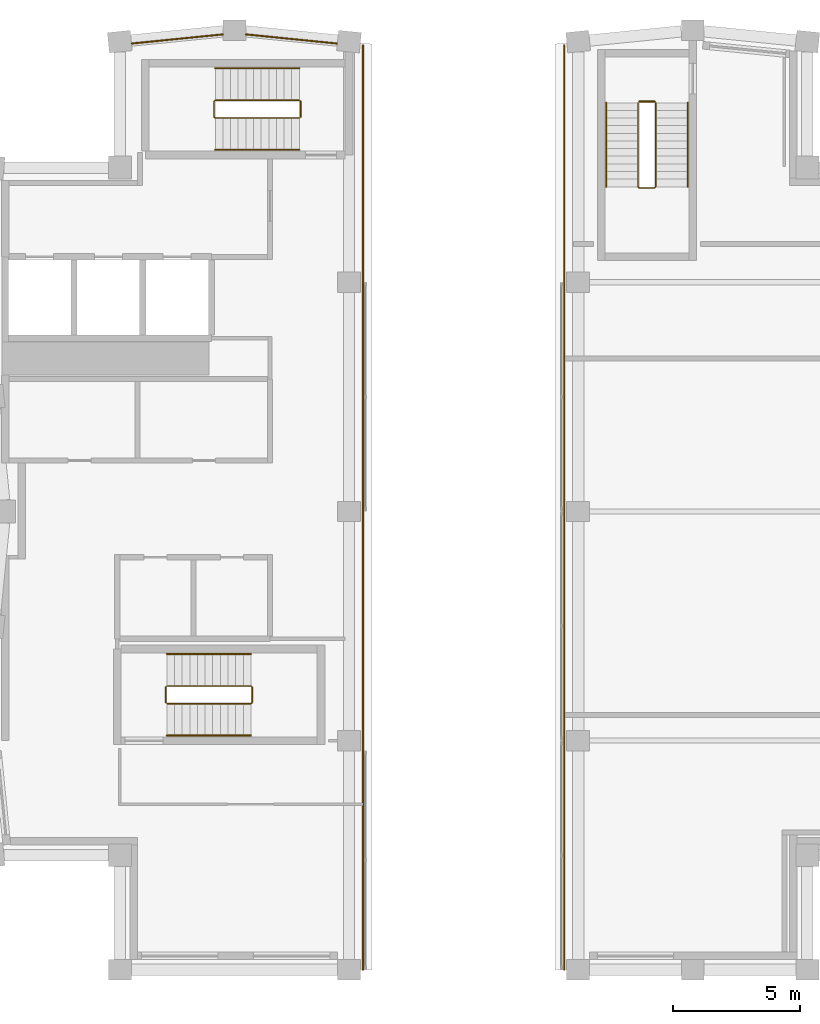
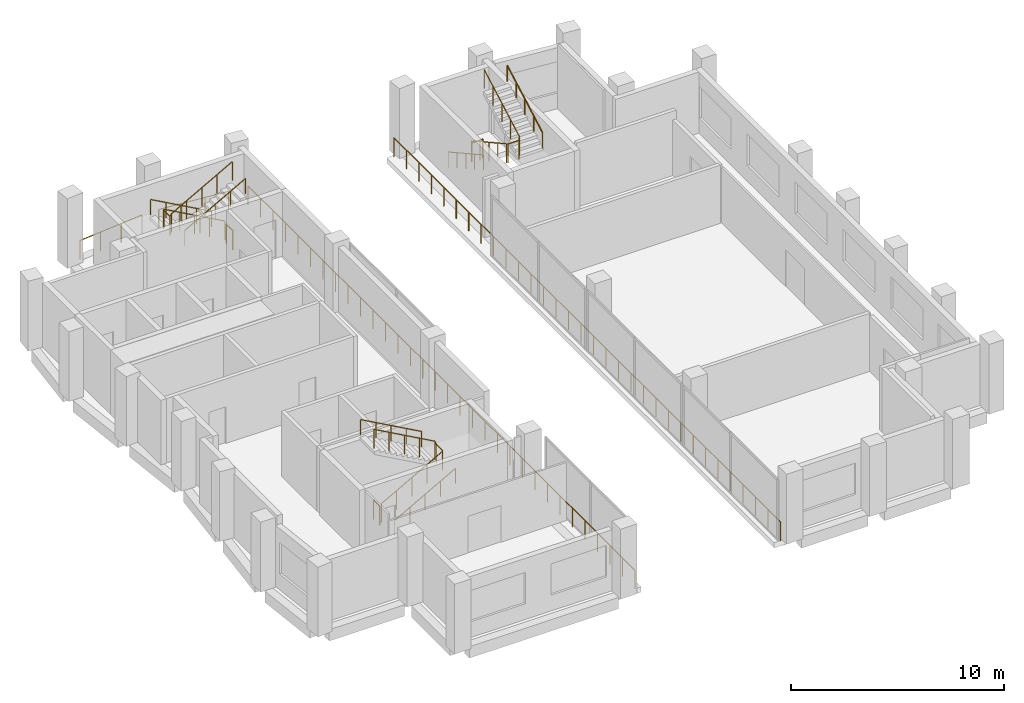
# One storey, part 9 of 9: 16 railings.
"""IFC4 building model written with IfcOpenShell, lengths in metres."""

from ifc_helpers import new_model, si_unit, direction, frame, origin, origin_2d, place, context, subcontext, project, spatial, circle, extrude, material, type_object, element, save


model = new_model("IFC4")

# Units and contexts
model_context = context("Model", 3, precision=1e-05, world=origin(), true_north=direction((0.0, 1.0)))
body_context = subcontext(model_context, "Body", "Model", "MODEL_VIEW")
ifc_project = project(units=[si_unit("LENGTHUNIT", "METRE"), si_unit("AREAUNIT", "SQUARE_METRE"), si_unit("VOLUMEUNIT", "CUBIC_METRE"), si_unit("PLANEANGLEUNIT", "RADIAN"), si_unit("MASSUNIT", "GRAM", prefix="KILO")], contexts=[model_context])

# Site, building, storey
site_placement = place(None, origin())
site = spatial("IfcSite", under=ifc_project, at=site_placement, CompositionType="ELEMENT")
building_placement = place(site_placement, origin())
building = spatial("IfcBuilding", under=site, at=building_placement, Name="Brondeck Convention Tower", CompositionType="ELEMENT")
storey_placement = place(building_placement, frame((0.0, 0.0, 286.800048828125)))
storey = spatial("IfcBuildingStorey", under=building, at=storey_placement, Name="L71", CompositionType="ELEMENT", Elevation=286.800048828125)

# Railings
ifc_material_1 = material(Name="Steel S355, bronze painted", Category="steel")
railing_type_1 = type_object("IfcRailingType", Name="Guard, bronze steel rail and posts", PredefinedType="GUARDRAIL", material=ifc_material_1)
railing_1_placement = place(storey_placement, frame((14.050048828125, 27.0, 0.0)))
element("IfcRailing", 1, at=railing_1_placement, inside=storey, type_object=railing_type_1, Name="ENV-SLOT-144-L71-RL1", PredefinedType="GUARDRAIL", context=body_context, shape_type="SweptSolid", body=[
    extrude(circle(Radius=0.02490234375, at=origin_2d()), frame((0.0, 0.0, 1.0751953125), z_axis=(0.0, 1.0, 0.0), x_axis=(-1.0, 0.0, 0.0)), (0.0, 0.0, 1.0), 36.294921875),
    extrude(circle(Radius=0.02490234375, at=origin_2d()), origin(), (0.0, 0.0, 1.0), 1.050048828125),
    extrude(circle(Radius=0.02490234375, at=origin_2d()), frame((0.0, 1.1708984375, 0.0)), (0.0, 0.0, 1.0), 1.050048828125),
    extrude(circle(Radius=0.02490234375, at=origin_2d()), frame((0.0, 2.341552734375, 0.0)), (0.0, 0.0, 1.0), 1.050048828125),
    extrude(circle(Radius=0.02490234375, at=origin_2d()), frame((0.0, 3.512451171875, 0.0)), (0.0, 0.0, 1.0), 1.050048828125),
    extrude(circle(Radius=0.02490234375, at=origin_2d()), frame((0.0, 4.68310546875, 0.0)), (0.0, 0.0, 1.0), 1.050048828125),
    extrude(circle(Radius=0.02490234375, at=origin_2d()), frame((0.0, 5.85400390625, 0.0)), (0.0, 0.0, 1.0), 1.050048828125),
    extrude(circle(Radius=0.02490234375, at=origin_2d()), frame((0.0, 7.02490234375, 0.0)), (0.0, 0.0, 1.0), 1.050048828125),
    extrude(circle(Radius=0.02490234375, at=origin_2d()), frame((0.0, 8.195556640625, 0.0)), (0.0, 0.0, 1.0), 1.050048828125),
    extrude(circle(Radius=0.02490234375, at=origin_2d()), frame((0.0, 9.366455078125, 0.0)), (0.0, 0.0, 1.0), 1.050048828125),
    extrude(circle(Radius=0.02490234375, at=origin_2d()), frame((0.0, 10.537353515625, 0.0)), (0.0, 0.0, 1.0), 1.050048828125),
    extrude(circle(Radius=0.02490234375, at=origin_2d()), frame((0.0, 11.7080078125, 0.0)), (0.0, 0.0, 1.0), 1.050048828125),
    extrude(circle(Radius=0.02490234375, at=origin_2d()), frame((0.0, 12.87890625, 0.0)), (0.0, 0.0, 1.0), 1.050048828125),
    extrude(circle(Radius=0.02490234375, at=origin_2d()), frame((0.0, 14.049560546875, 0.0)), (0.0, 0.0, 1.0), 1.050048828125),
    extrude(circle(Radius=0.02490234375, at=origin_2d()), frame((0.0, 15.220458984375, 0.0)), (0.0, 0.0, 1.0), 1.050048828125),
    extrude(circle(Radius=0.02490234375, at=origin_2d()), frame((0.0, 16.391357421875, 0.0)), (0.0, 0.0, 1.0), 1.050048828125),
    extrude(circle(Radius=0.02490234375, at=origin_2d()), frame((0.0, 17.56201171875, 0.0)), (0.0, 0.0, 1.0), 1.050048828125),
    extrude(circle(Radius=0.02490234375, at=origin_2d()), frame((0.0, 18.73291015625, 0.0)), (0.0, 0.0, 1.0), 1.050048828125),
    extrude(circle(Radius=0.02490234375, at=origin_2d()), frame((0.0, 19.903564453125, 0.0)), (0.0, 0.0, 1.0), 1.050048828125),
    extrude(circle(Radius=0.02490234375, at=origin_2d()), frame((0.0, 21.074462890625, 0.0)), (0.0, 0.0, 1.0), 1.050048828125),
    extrude(circle(Radius=0.02490234375, at=origin_2d()), frame((0.0, 22.245361328125, 0.0)), (0.0, 0.0, 1.0), 1.050048828125),
    extrude(circle(Radius=0.02490234375, at=origin_2d()), frame((0.0, 23.416015625, 0.0)), (0.0, 0.0, 1.0), 1.050048828125),
    extrude(circle(Radius=0.02490234375, at=origin_2d()), frame((0.0, 24.5869140625, 0.0)), (0.0, 0.0, 1.0), 1.050048828125),
    extrude(circle(Radius=0.02490234375, at=origin_2d()), frame((0.0, 25.757568359375, 0.0)), (0.0, 0.0, 1.0), 1.050048828125),
    extrude(circle(Radius=0.02490234375, at=origin_2d()), frame((0.0, 26.928466796875, 0.0)), (0.0, 0.0, 1.0), 1.050048828125),
    extrude(circle(Radius=0.02490234375, at=origin_2d()), frame((0.0, 28.099365234375, 0.0)), (0.0, 0.0, 1.0), 1.050048828125),
    extrude(circle(Radius=0.02490234375, at=origin_2d()), frame((0.0, 29.27001953125, 0.0)), (0.0, 0.0, 1.0), 1.050048828125),
    extrude(circle(Radius=0.02490234375, at=origin_2d()), frame((0.0, 30.44091796875, 0.0)), (0.0, 0.0, 1.0), 1.050048828125),
    extrude(circle(Radius=0.02490234375, at=origin_2d()), frame((0.0, 31.61181640625, 0.0)), (0.0, 0.0, 1.0), 1.050048828125),
    extrude(circle(Radius=0.02490234375, at=origin_2d()), frame((0.0, 32.782470703125, 0.0)), (0.0, 0.0, 1.0), 1.050048828125),
    extrude(circle(Radius=0.02490234375, at=origin_2d()), frame((0.0, 33.953369140625, 0.0)), (0.0, 0.0, 1.0), 1.050048828125),
    extrude(circle(Radius=0.02490234375, at=origin_2d()), frame((0.0, 35.1240234375, 0.0)), (0.0, 0.0, 1.0), 1.050048828125),
    extrude(circle(Radius=0.02490234375, at=origin_2d()), frame((0.0, 36.294921875, 0.0)), (0.0, 0.0, 1.0), 1.050048828125),
])
railing_2_placement = place(storey_placement, frame((21.949951171875, 27.0, 0.0)))
element("IfcRailing", 2, at=railing_2_placement, inside=storey, type_object=railing_type_1, Name="ENV-SLOT-216-L71-RL1", PredefinedType="GUARDRAIL", context=body_context, shape_type="SweptSolid", body=[
    extrude(circle(Radius=0.02490234375, at=origin_2d()), frame((0.0, 0.0, 1.0751953125), z_axis=(0.0, 1.0, 0.0), x_axis=(-1.0, 0.0, 0.0)), (0.0, 0.0, 1.0), 36.294921875),
    extrude(circle(Radius=0.02490234375, at=origin_2d()), origin(), (0.0, 0.0, 1.0), 1.050048828125),
    extrude(circle(Radius=0.02490234375, at=origin_2d()), frame((0.0, 1.1708984375, 0.0)), (0.0, 0.0, 1.0), 1.050048828125),
    extrude(circle(Radius=0.02490234375, at=origin_2d()), frame((0.0, 2.341552734375, 0.0)), (0.0, 0.0, 1.0), 1.050048828125),
    extrude(circle(Radius=0.02490234375, at=origin_2d()), frame((0.0, 3.512451171875, 0.0)), (0.0, 0.0, 1.0), 1.050048828125),
    extrude(circle(Radius=0.02490234375, at=origin_2d()), frame((0.0, 4.68310546875, 0.0)), (0.0, 0.0, 1.0), 1.050048828125),
    extrude(circle(Radius=0.02490234375, at=origin_2d()), frame((0.0, 5.85400390625, 0.0)), (0.0, 0.0, 1.0), 1.050048828125),
    extrude(circle(Radius=0.02490234375, at=origin_2d()), frame((0.0, 7.02490234375, 0.0)), (0.0, 0.0, 1.0), 1.050048828125),
    extrude(circle(Radius=0.02490234375, at=origin_2d()), frame((0.0, 8.195556640625, 0.0)), (0.0, 0.0, 1.0), 1.050048828125),
    extrude(circle(Radius=0.02490234375, at=origin_2d()), frame((0.0, 9.366455078125, 0.0)), (0.0, 0.0, 1.0), 1.050048828125),
    extrude(circle(Radius=0.02490234375, at=origin_2d()), frame((0.0, 10.537353515625, 0.0)), (0.0, 0.0, 1.0), 1.050048828125),
    extrude(circle(Radius=0.02490234375, at=origin_2d()), frame((0.0, 11.7080078125, 0.0)), (0.0, 0.0, 1.0), 1.050048828125),
    extrude(circle(Radius=0.02490234375, at=origin_2d()), frame((0.0, 12.87890625, 0.0)), (0.0, 0.0, 1.0), 1.050048828125),
    extrude(circle(Radius=0.02490234375, at=origin_2d()), frame((0.0, 14.049560546875, 0.0)), (0.0, 0.0, 1.0), 1.050048828125),
    extrude(circle(Radius=0.02490234375, at=origin_2d()), frame((0.0, 15.220458984375, 0.0)), (0.0, 0.0, 1.0), 1.050048828125),
    extrude(circle(Radius=0.02490234375, at=origin_2d()), frame((0.0, 16.391357421875, 0.0)), (0.0, 0.0, 1.0), 1.050048828125),
    extrude(circle(Radius=0.02490234375, at=origin_2d()), frame((0.0, 17.56201171875, 0.0)), (0.0, 0.0, 1.0), 1.050048828125),
    extrude(circle(Radius=0.02490234375, at=origin_2d()), frame((0.0, 18.73291015625, 0.0)), (0.0, 0.0, 1.0), 1.050048828125),
    extrude(circle(Radius=0.02490234375, at=origin_2d()), frame((0.0, 19.903564453125, 0.0)), (0.0, 0.0, 1.0), 1.050048828125),
    extrude(circle(Radius=0.02490234375, at=origin_2d()), frame((0.0, 21.074462890625, 0.0)), (0.0, 0.0, 1.0), 1.050048828125),
    extrude(circle(Radius=0.02490234375, at=origin_2d()), frame((0.0, 22.245361328125, 0.0)), (0.0, 0.0, 1.0), 1.050048828125),
    extrude(circle(Radius=0.02490234375, at=origin_2d()), frame((0.0, 23.416015625, 0.0)), (0.0, 0.0, 1.0), 1.050048828125),
    extrude(circle(Radius=0.02490234375, at=origin_2d()), frame((0.0, 24.5869140625, 0.0)), (0.0, 0.0, 1.0), 1.050048828125),
    extrude(circle(Radius=0.02490234375, at=origin_2d()), frame((0.0, 25.757568359375, 0.0)), (0.0, 0.0, 1.0), 1.050048828125),
    extrude(circle(Radius=0.02490234375, at=origin_2d()), frame((0.0, 26.928466796875, 0.0)), (0.0, 0.0, 1.0), 1.050048828125),
    extrude(circle(Radius=0.02490234375, at=origin_2d()), frame((0.0, 28.099365234375, 0.0)), (0.0, 0.0, 1.0), 1.050048828125),
    extrude(circle(Radius=0.02490234375, at=origin_2d()), frame((0.0, 29.27001953125, 0.0)), (0.0, 0.0, 1.0), 1.050048828125),
    extrude(circle(Radius=0.02490234375, at=origin_2d()), frame((0.0, 30.44091796875, 0.0)), (0.0, 0.0, 1.0), 1.050048828125),
    extrude(circle(Radius=0.02490234375, at=origin_2d()), frame((0.0, 31.61181640625, 0.0)), (0.0, 0.0, 1.0), 1.050048828125),
    extrude(circle(Radius=0.02490234375, at=origin_2d()), frame((0.0, 32.782470703125, 0.0)), (0.0, 0.0, 1.0), 1.050048828125),
    extrude(circle(Radius=0.02490234375, at=origin_2d()), frame((0.0, 33.953369140625, 0.0)), (0.0, 0.0, 1.0), 1.050048828125),
    extrude(circle(Radius=0.02490234375, at=origin_2d()), frame((0.0, 35.1240234375, 0.0)), (0.0, 0.0, 1.0), 1.050048828125),
    extrude(circle(Radius=0.02490234375, at=origin_2d()), frame((0.0, 36.294921875, 0.0)), (0.0, 0.0, 1.0), 1.050048828125),
])
railing_3_placement = place(storey_placement, frame((4.9794921875, 63.37744140625, 0.0)))
element("IfcRailing", 3, at=railing_3_placement, inside=storey, type_object=railing_type_1, Name="ENV-RL-L71-REAR1", PredefinedType="GUARDRAIL", context=body_context, shape_type="SweptSolid", body=[
    extrude(circle(Radius=0.02490234375, at=origin_2d()), frame((0.0, 0.0, 1.0751953125), z_axis=(0.995037864926, 0.099496971632, 0.0), x_axis=(-0.099496971632, 0.995037864926, 0.0)), (0.0, 0.0, 1.0), 3.58251953125),
    extrude(circle(Radius=0.02490234375, at=origin_2d()), origin(), (0.0, 0.0, 1.0), 1.050048828125),
    extrude(circle(Radius=0.02490234375, at=origin_2d()), frame((1.188232421875, 0.118896484375, 0.0)), (0.0, 0.0, 1.0), 1.050048828125),
    extrude(circle(Radius=0.02490234375, at=origin_2d()), frame((2.37646484375, 0.237548828125, 0.0)), (0.0, 0.0, 1.0), 1.050048828125),
    extrude(circle(Radius=0.02490234375, at=origin_2d()), frame((3.564697265625, 0.3564453125, 0.0)), (0.0, 0.0, 1.0), 1.050048828125),
])
railing_4_placement = place(storey_placement, frame((9.455810546875, 63.73388671875, 0.0)))
element("IfcRailing", 4, at=railing_4_placement, inside=storey, type_object=railing_type_1, Name="ENV-RL-L71-REAR2", PredefinedType="GUARDRAIL", context=body_context, shape_type="SweptSolid", body=[
    extrude(circle(Radius=0.02490234375, at=origin_2d()), frame((0.0, 0.0, 1.0751953125), z_axis=(0.995037864926, -0.099496971632, 0.0), x_axis=(0.099496971632, 0.995037864926, 0.0)), (0.0, 0.0, 1.0), 3.58251953125),
    extrude(circle(Radius=0.02490234375, at=origin_2d()), origin(), (0.0, 0.0, 1.0), 1.050048828125),
    extrude(circle(Radius=0.02490234375, at=origin_2d()), frame((1.188232421875, -0.118896484375, 0.0)), (0.0, 0.0, 1.0), 1.050048828125),
    extrude(circle(Radius=0.02490234375, at=origin_2d()), frame((2.37646484375, -0.237548828125, 0.0)), (0.0, 0.0, 1.0), 1.050048828125),
    extrude(circle(Radius=0.02490234375, at=origin_2d()), frame((3.564697265625, -0.3564453125, 0.0)), (0.0, 0.0, 1.0), 1.050048828125),
])
ifc_material_2 = material(Name="Steel S355", Category="steel")
railing_type_2 = type_object("IfcRailingType", Name="Stair guard 1100", PredefinedType="GUARDRAIL", material=ifc_material_2)
railing_5_placement = place(storey_placement, frame((6.35009765625, 37.449951171875, 0.16650390625)))
element("IfcRailing", 5, at=railing_5_placement, inside=storey, type_object=railing_type_2, Name="L71 ST-1 stair guard 1", PredefinedType="GUARDRAIL", context=body_context, shape_type="SweptSolid", body=[
    extrude(circle(Radius=0.02392578125, at=origin_2d()), frame((0.0, 0.0, 1.076171875), z_axis=(0.874126768038, 0.0, 0.485697841667), x_axis=(0.0, 1.0, 0.0)), (0.0, 0.0, 1.0), 3.77490234375),
    extrude(circle(Radius=0.02392578125, at=origin_2d()), frame((3.2998046875, 0.0, 2.90966796875), z_axis=(0.707106781187, 0.707106781187, 0.0), x_axis=(-0.707106781187, 0.707106781187, 0.0)), (0.0, 0.0, 1.0), 0.07080078125),
    extrude(circle(Radius=0.02392578125, at=origin_2d()), frame((3.349853515625, 0.050048828125, 2.90966796875), z_axis=(0.0, 1.0, 0.0), x_axis=(-1.0, 0.0, 0.0)), (0.0, 0.0, 1.0), 0.60009765625),
    extrude(circle(Radius=0.02392578125, at=origin_2d()), frame((3.349853515625, 0.650146484375, 2.90966796875), z_axis=(-0.276732813696, 0.275382897532, 0.920642824102), x_axis=(-0.705375805398, -0.708833529934, 0.0)), (0.0, 0.0, 1.0), 0.180908203125),
    extrude(circle(Radius=0.02392578125, at=origin_2d()), frame((3.2998046875, 0.699951171875, 3.076171875), z_axis=(-0.874126768038, 0.0, 0.485697841667), x_axis=(0.0, -1.0, 0.0)), (0.0, 0.0, 1.0), 3.77490234375),
    extrude(circle(Radius=0.02099609375, at=origin_2d()), origin(), (0.0, 0.0, 1.0), 1.052001953125),
    extrude(circle(Radius=0.02099609375, at=origin_2d()), frame((0.824951171875, 0.0, 0.45849609375)), (0.0, 0.0, 1.0), 1.052001953125),
    extrude(circle(Radius=0.02099609375, at=origin_2d()), frame((1.64990234375, 0.0, 0.916748046875)), (0.0, 0.0, 1.0), 1.052001953125),
    extrude(circle(Radius=0.02099609375, at=origin_2d()), frame((2.474853515625, 0.0, 1.375)), (0.0, 0.0, 1.0), 1.052001953125),
    extrude(circle(Radius=0.02099609375, at=origin_2d()), frame((3.2998046875, 0.0, 1.83349609375)), (0.0, 0.0, 1.0), 1.052001953125),
    extrude(circle(Radius=0.02099609375, at=origin_2d()), frame((3.349853515625, 0.050048828125, 1.83349609375)), (0.0, 0.0, 1.0), 1.052001953125),
    extrude(circle(Radius=0.02099609375, at=origin_2d()), frame((3.349853515625, 0.650146484375, 1.83349609375)), (0.0, 0.0, 1.0), 1.052001953125),
    extrude(circle(Radius=0.02099609375, at=origin_2d()), frame((3.2998046875, 0.699951171875, 2.0)), (0.0, 0.0, 1.0), 1.052001953125),
    extrude(circle(Radius=0.02099609375, at=origin_2d()), frame((2.474853515625, 0.699951171875, 2.45849609375)), (0.0, 0.0, 1.0), 1.052001953125),
    extrude(circle(Radius=0.02099609375, at=origin_2d()), frame((1.64990234375, 0.699951171875, 2.916748046875)), (0.0, 0.0, 1.0), 1.052001953125),
    extrude(circle(Radius=0.02099609375, at=origin_2d()), frame((0.824951171875, 0.699951171875, 3.375)), (0.0, 0.0, 1.0), 1.052001953125),
    extrude(circle(Radius=0.02099609375, at=origin_2d()), frame((0.0, 0.699951171875, 3.83349609375)), (0.0, 0.0, 1.0), 1.052001953125),
])
railing_6_placement = place(storey_placement, frame((6.300048828125, 37.5, 0.0)))
element("IfcRailing", 6, at=railing_6_placement, inside=storey, type_object=railing_type_2, Name="L71 ST-1 stair guard 2", PredefinedType="GUARDRAIL", context=body_context, shape_type="SweptSolid", body=[
    extrude(circle(Radius=0.02392578125, at=origin_2d()), frame((0.0, 0.0, 1.076171875), z_axis=(0.0, 1.0, 0.0), x_axis=(-1.0, 0.0, 0.0)), (0.0, 0.0, 1.0), 0.60009765625),
    extrude(circle(Radius=0.02099609375, at=origin_2d()), origin(), (0.0, 0.0, 1.0), 1.052001953125),
    extrude(circle(Radius=0.02099609375, at=origin_2d()), frame((0.0, 0.60009765625, 0.0)), (0.0, 0.0, 1.0), 1.052001953125),
])
railing_7_placement = place(storey_placement, frame((24.85009765625, 61.050048828125, 0.16650390625)))
element("IfcRailing", 7, at=railing_7_placement, inside=storey, type_object=railing_type_2, Name="L71 ST-2 stair guard 1", PredefinedType="GUARDRAIL", context=body_context, shape_type="SweptSolid", body=[
    extrude(circle(Radius=0.02392578125, at=origin_2d()), frame((0.0, 0.0, 1.076171875), z_axis=(0.0, -0.874142023373, 0.48567038511), x_axis=(1.0, 0.0, 0.0)), (0.0, 0.0, 1.0), 3.775146484375),
    extrude(circle(Radius=0.02392578125, at=origin_2d()), frame((0.0, -3.300048828125, 2.90966796875), z_axis=(0.705375805398, -0.708833529934, 0.0), x_axis=(0.708833529934, 0.705375805398, 0.0)), (0.0, 0.0, 1.0), 0.070556640625),
    extrude(circle(Radius=0.02392578125, at=origin_2d()), frame((0.0498046875, -3.35009765625, 2.90966796875), z_axis=(1.0, 0.0, 0.0), x_axis=(0.0, 1.0, 0.0)), (0.0, 0.0, 1.0), 0.60009765625),
    extrude(circle(Radius=0.02392578125, at=origin_2d()), frame((0.64990234375, -3.35009765625, 2.90966796875), z_axis=(0.27662974545, 0.27662974545, 0.920299933644), x_axis=(-0.707106781187, 0.707106781187, 0.0)), (0.0, 0.0, 1.0), 0.180908203125),
    extrude(circle(Radius=0.02392578125, at=origin_2d()), frame((0.699951171875, -3.300048828125, 3.076171875), z_axis=(0.0, 0.874142023373, 0.48567038511), x_axis=(-1.0, 0.0, 0.0)), (0.0, 0.0, 1.0), 3.775146484375),
    extrude(circle(Radius=0.02099609375, at=origin_2d()), origin(), (0.0, 0.0, 1.0), 1.052001953125),
    extrude(circle(Radius=0.02099609375, at=origin_2d()), frame((0.0, -0.824951171875, 0.45849609375)), (0.0, 0.0, 1.0), 1.052001953125),
    extrude(circle(Radius=0.02099609375, at=origin_2d()), frame((0.0, -1.64990234375, 0.916748046875)), (0.0, 0.0, 1.0), 1.052001953125),
    extrude(circle(Radius=0.02099609375, at=origin_2d()), frame((0.0, -2.47509765625, 1.375)), (0.0, 0.0, 1.0), 1.052001953125),
    extrude(circle(Radius=0.02099609375, at=origin_2d()), frame((0.0, -3.300048828125, 1.83349609375)), (0.0, 0.0, 1.0), 1.052001953125),
    extrude(circle(Radius=0.02099609375, at=origin_2d()), frame((0.0498046875, -3.35009765625, 1.83349609375)), (0.0, 0.0, 1.0), 1.052001953125),
    extrude(circle(Radius=0.02099609375, at=origin_2d()), frame((0.64990234375, -3.35009765625, 1.83349609375)), (0.0, 0.0, 1.0), 1.052001953125),
    extrude(circle(Radius=0.02099609375, at=origin_2d()), frame((0.699951171875, -3.300048828125, 2.0)), (0.0, 0.0, 1.0), 1.052001953125),
    extrude(circle(Radius=0.02099609375, at=origin_2d()), frame((0.699951171875, -2.47509765625, 2.45849609375)), (0.0, 0.0, 1.0), 1.052001953125),
    extrude(circle(Radius=0.02099609375, at=origin_2d()), frame((0.699951171875, -1.64990234375, 2.916748046875)), (0.0, 0.0, 1.0), 1.052001953125),
    extrude(circle(Radius=0.02099609375, at=origin_2d()), frame((0.699951171875, -0.824951171875, 3.375)), (0.0, 0.0, 1.0), 1.052001953125),
    extrude(circle(Radius=0.02099609375, at=origin_2d()), frame((0.699951171875, 0.0, 3.83349609375)), (0.0, 0.0, 1.0), 1.052001953125),
])
railing_8_placement = place(storey_placement, frame((24.89990234375, 61.10009765625, 0.0)))
element("IfcRailing", 8, at=railing_8_placement, inside=storey, type_object=railing_type_2, Name="L71 ST-2 stair guard 2", PredefinedType="GUARDRAIL", context=body_context, shape_type="SweptSolid", body=[
    extrude(circle(Radius=0.02392578125, at=origin_2d()), frame((0.0, 0.0, 1.076171875), z_axis=(1.0, 0.0, 0.0), x_axis=(0.0, 1.0, 0.0)), (0.0, 0.0, 1.0), 0.60009765625),
    extrude(circle(Radius=0.02099609375, at=origin_2d()), origin(), (0.0, 0.0, 1.0), 1.052001953125),
    extrude(circle(Radius=0.02099609375, at=origin_2d()), frame((0.60009765625, 0.0, 0.0)), (0.0, 0.0, 1.0), 1.052001953125),
])
railing_9_placement = place(storey_placement, frame((11.550048828125, 61.14990234375, 0.16650390625)))
element("IfcRailing", 9, at=railing_9_placement, inside=storey, type_object=railing_type_2, Name="L71 ST-3 stair guard 1", PredefinedType="GUARDRAIL", context=body_context, shape_type="SweptSolid", body=[
    extrude(circle(Radius=0.02392578125, at=origin_2d()), frame((0.0, 0.0, 1.076171875), z_axis=(-0.874142023373, 0.0, 0.48567038511), x_axis=(0.0, -1.0, 0.0)), (0.0, 0.0, 1.0), 3.775146484375),
    extrude(circle(Radius=0.02392578125, at=origin_2d()), frame((-3.300048828125, 0.0, 2.90966796875), z_axis=(-0.708833529934, -0.705375805398, 0.0), x_axis=(0.705375805398, -0.708833529934, 0.0)), (0.0, 0.0, 1.0), 0.070556640625),
    extrude(circle(Radius=0.02392578125, at=origin_2d()), frame((-3.35009765625, -0.0498046875, 2.90966796875), z_axis=(0.0, -1.0, 0.0), x_axis=(1.0, 0.0, 0.0)), (0.0, 0.0, 1.0), 0.60009765625),
    extrude(circle(Radius=0.02392578125, at=origin_2d()), frame((-3.35009765625, -0.64990234375, 2.90966796875), z_axis=(0.27662974545, -0.27662974545, 0.920299933644), x_axis=(0.707106781187, 0.707106781187, 0.0)), (0.0, 0.0, 1.0), 0.180908203125),
    extrude(circle(Radius=0.02392578125, at=origin_2d()), frame((-3.300048828125, -0.699951171875, 3.076171875), z_axis=(0.874142023373, 0.0, 0.48567038511), x_axis=(0.0, 1.0, 0.0)), (0.0, 0.0, 1.0), 3.775146484375),
    extrude(circle(Radius=0.02099609375, at=origin_2d()), origin(), (0.0, 0.0, 1.0), 1.052001953125),
    extrude(circle(Radius=0.02099609375, at=origin_2d()), frame((-0.824951171875, 0.0, 0.45849609375)), (0.0, 0.0, 1.0), 1.052001953125),
    extrude(circle(Radius=0.02099609375, at=origin_2d()), frame((-1.64990234375, 0.0, 0.916748046875)), (0.0, 0.0, 1.0), 1.052001953125),
    extrude(circle(Radius=0.02099609375, at=origin_2d()), frame((-2.47509765625, 0.0, 1.375)), (0.0, 0.0, 1.0), 1.052001953125),
    extrude(circle(Radius=0.02099609375, at=origin_2d()), frame((-3.300048828125, 0.0, 1.83349609375)), (0.0, 0.0, 1.0), 1.052001953125),
    extrude(circle(Radius=0.02099609375, at=origin_2d()), frame((-3.35009765625, -0.0498046875, 1.83349609375)), (0.0, 0.0, 1.0), 1.052001953125),
    extrude(circle(Radius=0.02099609375, at=origin_2d()), frame((-3.35009765625, -0.64990234375, 1.83349609375)), (0.0, 0.0, 1.0), 1.052001953125),
    extrude(circle(Radius=0.02099609375, at=origin_2d()), frame((-3.300048828125, -0.699951171875, 2.0)), (0.0, 0.0, 1.0), 1.052001953125),
    extrude(circle(Radius=0.02099609375, at=origin_2d()), frame((-2.47509765625, -0.699951171875, 2.45849609375)), (0.0, 0.0, 1.0), 1.052001953125),
    extrude(circle(Radius=0.02099609375, at=origin_2d()), frame((-1.64990234375, -0.699951171875, 2.916748046875)), (0.0, 0.0, 1.0), 1.052001953125),
    extrude(circle(Radius=0.02099609375, at=origin_2d()), frame((-0.824951171875, -0.699951171875, 3.375)), (0.0, 0.0, 1.0), 1.052001953125),
    extrude(circle(Radius=0.02099609375, at=origin_2d()), frame((0.0, -0.699951171875, 3.83349609375)), (0.0, 0.0, 1.0), 1.052001953125),
])
railing_10_placement = place(storey_placement, frame((11.60009765625, 61.10009765625, 0.0)))
element("IfcRailing", 10, at=railing_10_placement, inside=storey, type_object=railing_type_2, Name="L71 ST-3 stair guard 2", PredefinedType="GUARDRAIL", context=body_context, shape_type="SweptSolid", body=[
    extrude(circle(Radius=0.02392578125, at=origin_2d()), frame((0.0, 0.0, 1.076171875), z_axis=(0.0, -1.0, 0.0), x_axis=(1.0, 0.0, 0.0)), (0.0, 0.0, 1.0), 0.60009765625),
    extrude(circle(Radius=0.02099609375, at=origin_2d()), origin(), (0.0, 0.0, 1.0), 1.052001953125),
    extrude(circle(Radius=0.02099609375, at=origin_2d()), frame((0.0, -0.60009765625, 0.0)), (0.0, 0.0, 1.0), 1.052001953125),
])
railing_type_3 = type_object("IfcRailingType", Name="Stair handrail", PredefinedType="HANDRAIL", material=ifc_material_2)
railing_11_placement = place(storey_placement, frame((6.35009765625, 36.199951171875, 0.16650390625)))
element("IfcRailing", 11, at=railing_11_placement, inside=storey, type_object=railing_type_3, Name="L71 ST-1 stair handrail 1", PredefinedType="HANDRAIL", context=body_context, shape_type="SweptSolid", body=[
    extrude(circle(Radius=0.02392578125, at=origin_2d()), frame((0.0, 0.0, 0.8759765625), z_axis=(0.874126768038, 0.0, 0.485697841667), x_axis=(0.0, 1.0, 0.0)), (0.0, 0.0, 1.0), 3.77490234375),
    extrude(circle(Radius=0.02099609375, at=origin_2d()), origin(), (0.0, 0.0, 1.0), 0.851806640625),
    extrude(circle(Radius=0.02099609375, at=origin_2d()), frame((0.824951171875, 0.0, 0.45849609375)), (0.0, 0.0, 1.0), 0.851806640625),
    extrude(circle(Radius=0.02099609375, at=origin_2d()), frame((1.64990234375, 0.0, 0.916748046875)), (0.0, 0.0, 1.0), 0.851806640625),
    extrude(circle(Radius=0.02099609375, at=origin_2d()), frame((2.474853515625, 0.0, 1.375)), (0.0, 0.0, 1.0), 0.851806640625),
    extrude(circle(Radius=0.02099609375, at=origin_2d()), frame((3.2998046875, 0.0, 1.83349609375)), (0.0, 0.0, 1.0), 0.851806640625),
])
railing_12_placement = place(storey_placement, frame((9.64990234375, 39.39990234375, 2.16650390625)))
element("IfcRailing", 12, at=railing_12_placement, inside=storey, type_object=railing_type_3, Name="L71 ST-1 stair handrail 2", PredefinedType="HANDRAIL", context=body_context, shape_type="SweptSolid", body=[
    extrude(circle(Radius=0.02392578125, at=origin_2d()), frame((0.0, 0.0, 0.8759765625), z_axis=(-0.874126768038, 0.0, 0.485697841667), x_axis=(0.0, -1.0, 0.0)), (0.0, 0.0, 1.0), 3.77490234375),
    extrude(circle(Radius=0.02099609375, at=origin_2d()), origin(), (0.0, 0.0, 1.0), 0.851806640625),
    extrude(circle(Radius=0.02099609375, at=origin_2d()), frame((-0.824951171875, 0.0, 0.45849609375)), (0.0, 0.0, 1.0), 0.851806640625),
    extrude(circle(Radius=0.02099609375, at=origin_2d()), frame((-1.64990234375, 0.0, 0.916748046875)), (0.0, 0.0, 1.0), 0.851806640625),
    extrude(circle(Radius=0.02099609375, at=origin_2d()), frame((-2.474853515625, 0.0, 1.375)), (0.0, 0.0, 1.0), 0.851806640625),
    extrude(circle(Radius=0.02099609375, at=origin_2d()), frame((-3.2998046875, 0.0, 1.83349609375)), (0.0, 0.0, 1.0), 0.851806640625),
])
railing_13_placement = place(storey_placement, frame((23.60009765625, 61.050048828125, 0.16650390625)))
element("IfcRailing", 13, at=railing_13_placement, inside=storey, type_object=railing_type_3, Name="L71 ST-2 stair handrail 1", PredefinedType="HANDRAIL", context=body_context, shape_type="SweptSolid", body=[
    extrude(circle(Radius=0.02392578125, at=origin_2d()), frame((0.0, 0.0, 0.8759765625), z_axis=(0.0, -0.874142023373, 0.48567038511), x_axis=(1.0, 0.0, 0.0)), (0.0, 0.0, 1.0), 3.775146484375),
    extrude(circle(Radius=0.02099609375, at=origin_2d()), origin(), (0.0, 0.0, 1.0), 0.851806640625),
    extrude(circle(Radius=0.02099609375, at=origin_2d()), frame((0.0, -0.824951171875, 0.45849609375)), (0.0, 0.0, 1.0), 0.851806640625),
    extrude(circle(Radius=0.02099609375, at=origin_2d()), frame((0.0, -1.64990234375, 0.916748046875)), (0.0, 0.0, 1.0), 0.851806640625),
    extrude(circle(Radius=0.02099609375, at=origin_2d()), frame((0.0, -2.47509765625, 1.375)), (0.0, 0.0, 1.0), 0.851806640625),
    extrude(circle(Radius=0.02099609375, at=origin_2d()), frame((0.0, -3.300048828125, 1.83349609375)), (0.0, 0.0, 1.0), 0.851806640625),
])
railing_14_placement = place(storey_placement, frame((26.800048828125, 57.75, 2.16650390625)))
element("IfcRailing", 14, at=railing_14_placement, inside=storey, type_object=railing_type_3, Name="L71 ST-2 stair handrail 2", PredefinedType="HANDRAIL", context=body_context, shape_type="SweptSolid", body=[
    extrude(circle(Radius=0.02392578125, at=origin_2d()), frame((0.0, 0.0, 0.8759765625), z_axis=(0.0, 0.874142023373, 0.48567038511), x_axis=(-1.0, 0.0, 0.0)), (0.0, 0.0, 1.0), 3.775146484375),
    extrude(circle(Radius=0.02099609375, at=origin_2d()), origin(), (0.0, 0.0, 1.0), 0.851806640625),
    extrude(circle(Radius=0.02099609375, at=origin_2d()), frame((0.0, 0.824951171875, 0.45849609375)), (0.0, 0.0, 1.0), 0.851806640625),
    extrude(circle(Radius=0.02099609375, at=origin_2d()), frame((0.0, 1.64990234375, 0.916748046875)), (0.0, 0.0, 1.0), 0.851806640625),
    extrude(circle(Radius=0.02099609375, at=origin_2d()), frame((0.0, 2.47509765625, 1.375)), (0.0, 0.0, 1.0), 0.851806640625),
    extrude(circle(Radius=0.02099609375, at=origin_2d()), frame((0.0, 3.300048828125, 1.83349609375)), (0.0, 0.0, 1.0), 0.851806640625),
])
railing_15_placement = place(storey_placement, frame((11.550048828125, 62.39990234375, 0.16650390625)))
element("IfcRailing", 15, at=railing_15_placement, inside=storey, type_object=railing_type_3, Name="L71 ST-3 stair handrail 1", PredefinedType="HANDRAIL", context=body_context, shape_type="SweptSolid", body=[
    extrude(circle(Radius=0.02392578125, at=origin_2d()), frame((0.0, 0.0, 0.8759765625), z_axis=(-0.874142023373, 0.0, 0.48567038511), x_axis=(0.0, -1.0, 0.0)), (0.0, 0.0, 1.0), 3.775146484375),
    extrude(circle(Radius=0.02099609375, at=origin_2d()), origin(), (0.0, 0.0, 1.0), 0.851806640625),
    extrude(circle(Radius=0.02099609375, at=origin_2d()), frame((-0.824951171875, 0.0, 0.45849609375)), (0.0, 0.0, 1.0), 0.851806640625),
    extrude(circle(Radius=0.02099609375, at=origin_2d()), frame((-1.64990234375, 0.0, 0.916748046875)), (0.0, 0.0, 1.0), 0.851806640625),
    extrude(circle(Radius=0.02099609375, at=origin_2d()), frame((-2.47509765625, 0.0, 1.375)), (0.0, 0.0, 1.0), 0.851806640625),
    extrude(circle(Radius=0.02099609375, at=origin_2d()), frame((-3.300048828125, 0.0, 1.83349609375)), (0.0, 0.0, 1.0), 0.851806640625),
])
railing_16_placement = place(storey_placement, frame((8.25, 59.199951171875, 2.16650390625)))
element("IfcRailing", 16, at=railing_16_placement, inside=storey, type_object=railing_type_3, Name="L71 ST-3 stair handrail 2", PredefinedType="HANDRAIL", context=body_context, shape_type="SweptSolid", body=[
    extrude(circle(Radius=0.02392578125, at=origin_2d()), frame((0.0, 0.0, 0.8759765625), z_axis=(0.874142023373, 0.0, 0.48567038511), x_axis=(0.0, 1.0, 0.0)), (0.0, 0.0, 1.0), 3.775146484375),
    extrude(circle(Radius=0.02099609375, at=origin_2d()), origin(), (0.0, 0.0, 1.0), 0.851806640625),
    extrude(circle(Radius=0.02099609375, at=origin_2d()), frame((0.824951171875, 0.0, 0.45849609375)), (0.0, 0.0, 1.0), 0.851806640625),
    extrude(circle(Radius=0.02099609375, at=origin_2d()), frame((1.64990234375, 0.0, 0.916748046875)), (0.0, 0.0, 1.0), 0.851806640625),
    extrude(circle(Radius=0.02099609375, at=origin_2d()), frame((2.47509765625, 0.0, 1.375)), (0.0, 0.0, 1.0), 0.851806640625),
    extrude(circle(Radius=0.02099609375, at=origin_2d()), frame((3.300048828125, 0.0, 1.83349609375)), (0.0, 0.0, 1.0), 0.851806640625),
])

save(model, "model.ifc")
